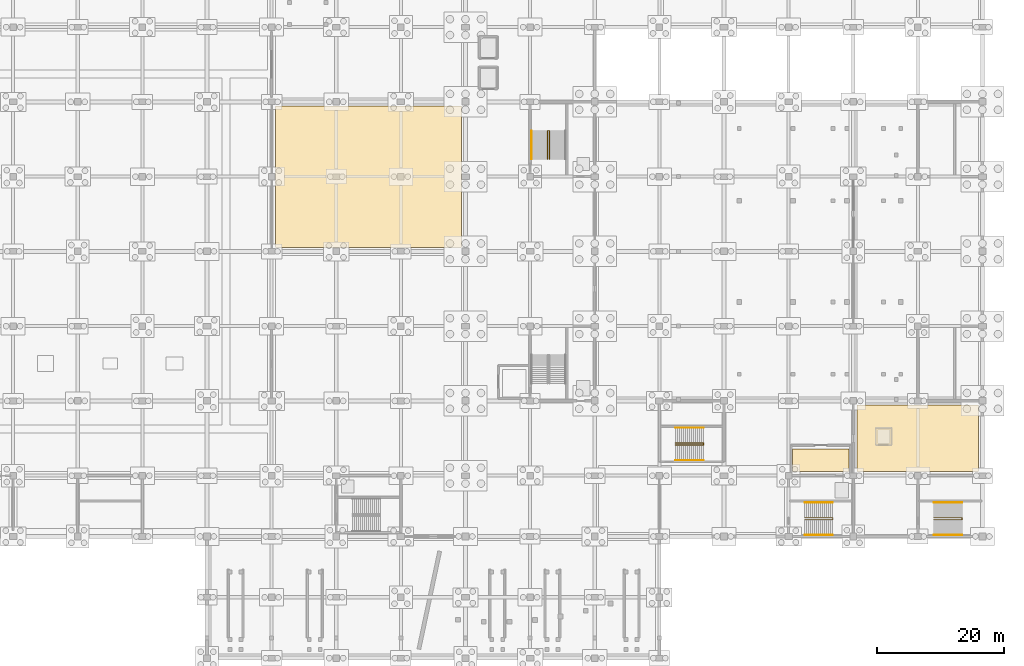
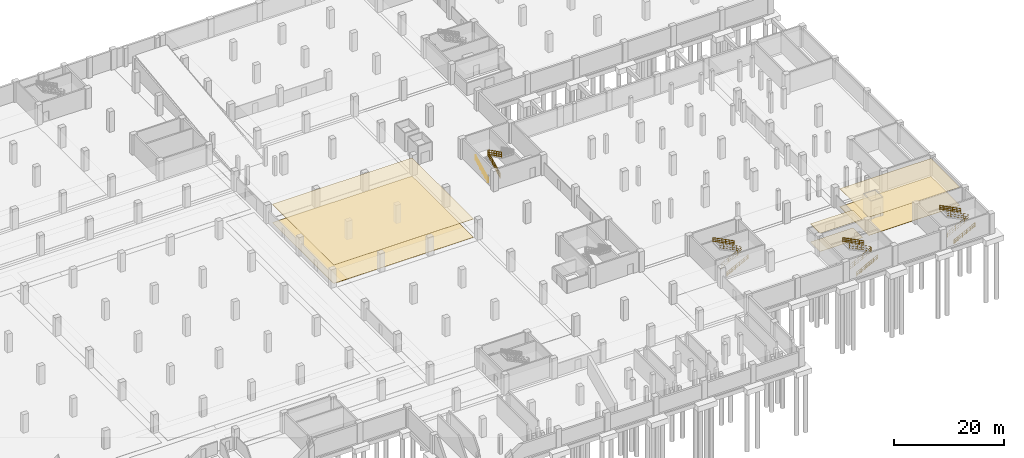
# One storey, part 49 of 52: 11 railings, 6 coverings.
"""IFC4 building model written with IfcOpenShell, lengths in metres."""

from ifc_helpers import new_model, si_unit, direction, frame, origin, origin_2d, place, context, subcontext, project, spatial, polyline, circle, outline, extrude, material, layer, layer_set, type_object, element, save


model = new_model("IFC4")

# Units and contexts
model_context = context("Model", 3, precision=1e-05, world=origin(), true_north=direction((0.0, 1.0)))
body_context = subcontext(model_context, "Body", "Model", "MODEL_VIEW")
ifc_project = project(units=[si_unit("LENGTHUNIT", "METRE"), si_unit("AREAUNIT", "SQUARE_METRE"), si_unit("VOLUMEUNIT", "CUBIC_METRE"), si_unit("PLANEANGLEUNIT", "RADIAN"), si_unit("MASSUNIT", "GRAM", prefix="KILO")], contexts=[model_context])

# Site, building, storey
site_placement = place(None, origin())
site = spatial("IfcSite", under=ifc_project, at=site_placement, CompositionType="ELEMENT")
building_placement = place(site_placement, origin())
building = spatial("IfcBuilding", under=site, at=building_placement, Name="Brelvane Convention Centre", CompositionType="ELEMENT")
storey_placement = place(building_placement, frame((0.0, 0.0, -4.5)))
storey = spatial("IfcBuildingStorey", under=building, at=storey_placement, Name="B1", CompositionType="ELEMENT", Elevation=-4.5)

# Coverings
ifc_material_1 = material(Name="Perforated Anodised Aluminium Alloy 6063 Acoustic Baffle", Category="aluminium")
ifc_layer_1 = layer(ifc_material_1, 0.074951171875)
ifc_layer_set_1 = layer_set([ifc_layer_1], Name="Perforated Anodised Aluminium Alloy 6063 Acoustic Baffle")
covering_type_1 = type_object("IfcCoveringType", Name="Interior Finish CL-BAF-75", PredefinedType="CEILING", material=ifc_layer_set_1)
covering_1_placement = place(storey_placement, frame((0.0, 0.0, 4.044921875)))
element("IfcCovering", 1, at=covering_1_placement, inside=storey, type_object=covering_type_1, Name="Exhibition Crate Store 2 Acoustic Ceiling (CL-BAF-75)", PredefinedType="CEILING", context=body_context, shape_type="SweptSolid", body=[
    extrude(outline(polyline([(112.830078125, 64.830078125), (142.169921875, 64.830078125), (142.169921875, 87.169921875), (112.830078125, 87.169921875), (112.830078125, 64.830078125)])), origin(), (0.0, 0.0, 1.0), 0.0751953125),
])
ifc_material_2 = material(Name="Moisture-Resistant Acoustic Gypsum Ceiling Tile Grade A")
ifc_layer_2 = layer(ifc_material_2, 0.01806640625)
ifc_layer_set_2 = layer_set([ifc_layer_2], Name="Moisture-Resistant Acoustic Gypsum Ceiling Tile Grade A")
covering_type_2 = type_object("IfcCoveringType", Name="Interior Finish CL-GYP-18", PredefinedType="CEILING", material=ifc_layer_set_2)
covering_2_placement = place(storey_placement, frame((0.0, 0.0, 4.02197265625)))
element("IfcCovering", 2, at=covering_2_placement, inside=storey, type_object=covering_type_2, Name="Firefighting Lift Lobby C8 Acoustic Ceiling (CL-GYP-18)", PredefinedType="CEILING", context=body_context, shape_type="SweptSolid", body=[
    extrude(outline(polyline([(194.429931640625, 29.429931640625), (203.3701171875, 29.429931640625), (203.3701171875, 32.969970703125), (194.429931640625, 32.969970703125), (194.429931640625, 29.429931640625)])), origin(), (0.0, 0.0, 1.0), 0.01806640625),
])
ifc_material_3 = material(Name="Moisture-Resistant Acoustic Gypsum Ceiling Tile Grade A")
ifc_layer_3 = layer(ifc_material_3, 0.033935546875)
ifc_layer_set_3 = layer_set([ifc_layer_3], Name="Moisture-Resistant Acoustic Gypsum Ceiling Tile Grade A")
covering_type_3 = type_object("IfcCoveringType", Name="Interior Finish CL-GYP-34", PredefinedType="CEILING", material=ifc_layer_set_3)
covering_3_placement = place(storey_placement, frame((0.0, 0.0, 4.006103515625)))
element("IfcCovering", 3, at=covering_3_placement, inside=storey, type_object=covering_type_3, Name="South Wing AHU and Domestic Water Plant Acoustic Ceiling (CL-GYP-34)", PredefinedType="CEILING", context=body_context, shape_type="SweptSolid", body=[
    extrude(outline(polyline([(204.6298828125, 29.429931640625), (223.77001953125, 29.429931640625), (223.77001953125, 39.969970703125), (204.6298828125, 39.969970703125), (204.6298828125, 29.429931640625)])), origin(), (0.0, 0.0, 1.0), 0.033935546875),
])
ifc_material_4 = material(Name="Solution-Dyed Heavy Contract Wool Carpet Class 1")
ifc_layer_4 = layer(ifc_material_4, 0.02197265625)
ifc_layer_set_4 = layer_set([ifc_layer_4], Name="Solution-Dyed Heavy Contract Wool Carpet Class 1")
covering_type_4 = type_object("IfcCoveringType", Name="Interior Finish FL-CPT-22", PredefinedType="FLOORING", material=ifc_layer_set_4)
covering_4_placement = place(storey_placement, origin())
element("IfcCovering", 4, at=covering_4_placement, inside=storey, type_object=covering_type_4, Name="Firefighting Lift Lobby C8 Floor Finish (FL-CPT-22)", PredefinedType="FLOORING", context=body_context, shape_type="SweptSolid", body=[
    extrude(outline(polyline([(194.429931640625, 29.429931640625), (203.3701171875, 29.429931640625), (203.3701171875, 32.969970703125), (194.429931640625, 32.969970703125), (194.429931640625, 29.429931640625)])), origin(), (0.0, 0.0, 1.0), 0.02197265625),
])
ifc_material_5 = material(Name="Polished Basalt-Aggregate Terrazzo Screed Concrete M30", Category="masonry")
ifc_layer_5 = layer(ifc_material_5, 0.031982421875)
ifc_layer_set_5 = layer_set([ifc_layer_5], Name="Polished Basalt-Aggregate Terrazzo Screed Concrete M30")
covering_type_5 = type_object("IfcCoveringType", Name="Interior Finish FL-STN-32", PredefinedType="FLOORING", material=ifc_layer_set_5)
covering_5_placement = place(storey_placement, origin())
element("IfcCovering", 5, at=covering_5_placement, inside=storey, type_object=covering_type_5, Name="South Wing AHU and Domestic Water Plant Floor Finish (FL-STN-32)", PredefinedType="FLOORING", context=body_context, shape_type="SweptSolid", body=[
    extrude(outline(polyline([(204.6298828125, 29.429931640625), (223.77001953125, 29.429931640625), (223.77001953125, 39.969970703125), (204.6298828125, 39.969970703125), (204.6298828125, 29.429931640625)])), origin(), (0.0, 0.0, 1.0), 0.031982421875),
])
ifc_material_6 = material(Name="Polished Basalt-Aggregate Terrazzo Screed Concrete M30", Category="masonry")
ifc_layer_6 = layer(ifc_material_6, 0.050048828125)
ifc_layer_set_6 = layer_set([ifc_layer_6], Name="Polished Basalt-Aggregate Terrazzo Screed Concrete M30")
covering_type_6 = type_object("IfcCoveringType", Name="Interior Finish FL-TER-50", PredefinedType="FLOORING", material=ifc_layer_set_6)
covering_6_placement = place(storey_placement, origin())
element("IfcCovering", 6, at=covering_6_placement, inside=storey, type_object=covering_type_6, Name="Exhibition Crate Store 2 Floor Finish (FL-TER-50)", PredefinedType="FLOORING", context=body_context, shape_type="SweptSolid", body=[
    extrude(outline(polyline([(112.830078125, 64.830078125), (142.169921875, 64.830078125), (142.169921875, 87.169921875), (112.830078125, 87.169921875), (112.830078125, 64.830078125)])), origin(), (0.0, 0.0, 1.0), 0.050048828125),
])

# Railings
ifc_material_7 = material(Name="Steel E350 (350 MPa)", Category="steel")
railing_type_1 = type_object("IfcRailingType", Name="Stair Railing GR-ST-1", PredefinedType="GUARDRAIL", material=ifc_material_7)
railing_1_placement = place(storey_placement, frame((155.739990234375, 78.75, -0.02001953125)))
element("IfcRailing", 7, at=railing_1_placement, inside=storey, type_object=railing_type_1, Name="Stair ST-04 B1 Inner Well Guard", PredefinedType="GUARDRAIL", context=body_context, shape_type="SweptSolid", body=[
    extrude(circle(Radius=0.02392578125, at=origin_2d()), frame((0.0, 0.0, 1.1259765625), z_axis=(0.0, 0.892022709874, 0.451990580731), x_axis=(-1.0, 0.0, 0.0)), (0.0, 0.0, 1.0), 5.022216796875),
    extrude(circle(Radius=0.02392578125, at=origin_2d()), frame((0.0, 0.0, 0.597900390625), z_axis=(0.0, 0.892022709874, 0.451990580731), x_axis=(-1.0, 0.0, 0.0)), (0.0, 0.0, 1.0), 5.022216796875),
    extrude(circle(Radius=0.02392578125, at=origin_2d()), frame((0.0, 0.0, 0.139892578125), z_axis=(0.0, 0.892022709874, 0.451990580731), x_axis=(-1.0, 0.0, 0.0)), (0.0, 0.0, 1.0), 5.022216796875),
    extrude(circle(Radius=0.02392578125, at=origin_2d()), frame((0.0, 4.47998046875, 3.39599609375), z_axis=(1.0, 0.0, 0.0), x_axis=(0.0, 1.0, 0.0)), (0.0, 0.0, 1.0), 0.320068359375),
    extrude(circle(Radius=0.02392578125, at=origin_2d()), frame((0.0, 4.47998046875, 2.867919921875), z_axis=(1.0, 0.0, 0.0), x_axis=(0.0, 1.0, 0.0)), (0.0, 0.0, 1.0), 0.320068359375),
    extrude(circle(Radius=0.02392578125, at=origin_2d()), frame((0.0, 4.47998046875, 2.409912109375), z_axis=(1.0, 0.0, 0.0), x_axis=(0.0, 1.0, 0.0)), (0.0, 0.0, 1.0), 0.320068359375),
    extrude(circle(Radius=0.02392578125, at=origin_2d()), frame((0.320068359375, 4.47998046875, 3.39599609375), z_axis=(0.0, -0.895225852443, 0.445612694072), x_axis=(1.0, 0.0, 0.0)), (0.0, 0.0, 1.0), 5.00439453125),
    extrude(circle(Radius=0.02392578125, at=origin_2d()), frame((0.320068359375, 4.47998046875, 2.867919921875), z_axis=(0.0, -0.895225852443, 0.445612694072), x_axis=(1.0, 0.0, 0.0)), (0.0, 0.0, 1.0), 5.00439453125),
    extrude(circle(Radius=0.02392578125, at=origin_2d()), frame((0.320068359375, 4.47998046875, 2.409912109375), z_axis=(0.0, -0.895225852443, 0.445612694072), x_axis=(1.0, 0.0, 0.0)), (0.0, 0.0, 1.0), 5.00439453125),
    extrude(circle(Radius=0.02099609375, at=origin_2d()), origin(), (0.0, 0.0, 1.0), 1.101806640625),
    extrude(circle(Radius=0.02099609375, at=origin_2d()), frame((0.0, 0.89599609375, 0.4541015625)), (0.0, 0.0, 1.0), 1.101806640625),
    extrude(circle(Radius=0.02099609375, at=origin_2d()), frame((0.0, 1.7919921875, 0.907958984375)), (0.0, 0.0, 1.0), 1.101806640625),
    extrude(circle(Radius=0.02099609375, at=origin_2d()), frame((0.0, 2.68798828125, 1.362060546875)), (0.0, 0.0, 1.0), 1.101806640625),
    extrude(circle(Radius=0.02099609375, at=origin_2d()), frame((0.0, 3.583984375, 1.81591796875)), (0.0, 0.0, 1.0), 1.101806640625),
    extrude(circle(Radius=0.02099609375, at=origin_2d()), frame((0.0, 4.47998046875, 2.27001953125)), (0.0, 0.0, 1.0), 1.101806640625),
    extrude(circle(Radius=0.02099609375, at=origin_2d()), frame((0.320068359375, 4.47998046875, 2.27001953125)), (0.0, 0.0, 1.0), 1.101806640625),
    extrude(circle(Radius=0.02099609375, at=origin_2d()), frame((0.320068359375, 3.583984375, 2.716064453125)), (0.0, 0.0, 1.0), 1.101806640625),
    extrude(circle(Radius=0.02099609375, at=origin_2d()), frame((0.320068359375, 2.68798828125, 3.162109375)), (0.0, 0.0, 1.0), 1.101806640625),
    extrude(circle(Radius=0.02099609375, at=origin_2d()), frame((0.320068359375, 1.7919921875, 3.60791015625)), (0.0, 0.0, 1.0), 1.101806640625),
    extrude(circle(Radius=0.02099609375, at=origin_2d()), frame((0.320068359375, 0.89599609375, 4.053955078125)), (0.0, 0.0, 1.0), 1.101806640625),
    extrude(circle(Radius=0.02099609375, at=origin_2d()), frame((0.320068359375, 0.0, 4.5)), (0.0, 0.0, 1.0), 1.101806640625),
])
railing_2_placement = place(storey_placement, frame((196.35009765625, 21.840087890625, -0.02001953125)))
element("IfcRailing", 8, at=railing_2_placement, inside=storey, type_object=railing_type_1, Name="Stair ST-08 B1 Inner Well Guard", PredefinedType="GUARDRAIL", context=body_context, shape_type="SweptSolid", body=[
    extrude(circle(Radius=0.02392578125, at=origin_2d()), frame((0.0, 0.0, 1.1259765625), z_axis=(0.889118431412, 0.0, 0.45767719511), x_axis=(0.0, 1.0, 0.0)), (0.0, 0.0, 1.0), 4.9599609375),
    extrude(circle(Radius=0.02392578125, at=origin_2d()), frame((0.0, 0.0, 0.597900390625), z_axis=(0.889118431412, 0.0, 0.45767719511), x_axis=(0.0, 1.0, 0.0)), (0.0, 0.0, 1.0), 4.9599609375),
    extrude(circle(Radius=0.02392578125, at=origin_2d()), frame((0.0, 0.0, 0.139892578125), z_axis=(0.889118431412, 0.0, 0.45767719511), x_axis=(0.0, 1.0, 0.0)), (0.0, 0.0, 1.0), 4.9599609375),
    extrude(circle(Radius=0.02392578125, at=origin_2d()), frame((4.409912109375, 0.0, 3.39599609375), z_axis=(0.0, 1.0, 0.0), x_axis=(-1.0, 0.0, 0.0)), (0.0, 0.0, 1.0), 0.31982421875),
    extrude(circle(Radius=0.02392578125, at=origin_2d()), frame((4.409912109375, 0.0, 2.867919921875), z_axis=(0.0, 1.0, 0.0), x_axis=(-1.0, 0.0, 0.0)), (0.0, 0.0, 1.0), 0.31982421875),
    extrude(circle(Radius=0.02392578125, at=origin_2d()), frame((4.409912109375, 0.0, 2.409912109375), z_axis=(0.0, 1.0, 0.0), x_axis=(-1.0, 0.0, 0.0)), (0.0, 0.0, 1.0), 0.31982421875),
    extrude(circle(Radius=0.02392578125, at=origin_2d()), frame((4.409912109375, 0.31982421875, 3.39599609375), z_axis=(-0.892392434286, 0.0, 0.451260172439), x_axis=(0.0, -1.0, 0.0)), (0.0, 0.0, 1.0), 4.941650390625),
    extrude(circle(Radius=0.02392578125, at=origin_2d()), frame((4.409912109375, 0.31982421875, 2.867919921875), z_axis=(-0.892392434286, 0.0, 0.451260172439), x_axis=(0.0, -1.0, 0.0)), (0.0, 0.0, 1.0), 4.941650390625),
    extrude(circle(Radius=0.02392578125, at=origin_2d()), frame((4.409912109375, 0.31982421875, 2.409912109375), z_axis=(-0.892392434286, 0.0, 0.451260172439), x_axis=(0.0, -1.0, 0.0)), (0.0, 0.0, 1.0), 4.941650390625),
    extrude(circle(Radius=0.02099609375, at=origin_2d()), origin(), (0.0, 0.0, 1.0), 1.101806640625),
    extrude(circle(Radius=0.02099609375, at=origin_2d()), frame((0.882080078125, 0.0, 0.4541015625)), (0.0, 0.0, 1.0), 1.101806640625),
    extrude(circle(Radius=0.02099609375, at=origin_2d()), frame((1.763916015625, 0.0, 0.907958984375)), (0.0, 0.0, 1.0), 1.101806640625),
    extrude(circle(Radius=0.02099609375, at=origin_2d()), frame((2.64599609375, 0.0, 1.362060546875)), (0.0, 0.0, 1.0), 1.101806640625),
    extrude(circle(Radius=0.02099609375, at=origin_2d()), frame((3.52783203125, 0.0, 1.81591796875)), (0.0, 0.0, 1.0), 1.101806640625),
    extrude(circle(Radius=0.02099609375, at=origin_2d()), frame((4.409912109375, 0.0, 2.27001953125)), (0.0, 0.0, 1.0), 1.101806640625),
    extrude(circle(Radius=0.02099609375, at=origin_2d()), frame((4.409912109375, 0.31982421875, 2.27001953125)), (0.0, 0.0, 1.0), 1.101806640625),
    extrude(circle(Radius=0.02099609375, at=origin_2d()), frame((3.52783203125, 0.31982421875, 2.716064453125)), (0.0, 0.0, 1.0), 1.101806640625),
    extrude(circle(Radius=0.02099609375, at=origin_2d()), frame((2.64599609375, 0.31982421875, 3.162109375)), (0.0, 0.0, 1.0), 1.101806640625),
    extrude(circle(Radius=0.02099609375, at=origin_2d()), frame((1.763916015625, 0.31982421875, 3.60791015625)), (0.0, 0.0, 1.0), 1.101806640625),
    extrude(circle(Radius=0.02099609375, at=origin_2d()), frame((0.882080078125, 0.31982421875, 4.053955078125)), (0.0, 0.0, 1.0), 1.101806640625),
    extrude(circle(Radius=0.02099609375, at=origin_2d()), frame((0.0, 0.31982421875, 4.5)), (0.0, 0.0, 1.0), 1.101806640625),
])
railing_3_placement = place(storey_placement, frame((216.75, 21.840087890625, -0.02001953125)))
element("IfcRailing", 9, at=railing_3_placement, inside=storey, type_object=railing_type_1, Name="Stair ST-14 B1 Inner Well Guard", PredefinedType="GUARDRAIL", context=body_context, shape_type="SweptSolid", body=[
    extrude(circle(Radius=0.02392578125, at=origin_2d()), frame((0.0, 0.0, 1.1259765625), z_axis=(0.889118431412, 0.0, 0.45767719511), x_axis=(0.0, 1.0, 0.0)), (0.0, 0.0, 1.0), 4.9599609375),
    extrude(circle(Radius=0.02392578125, at=origin_2d()), frame((0.0, 0.0, 0.597900390625), z_axis=(0.889118431412, 0.0, 0.45767719511), x_axis=(0.0, 1.0, 0.0)), (0.0, 0.0, 1.0), 4.9599609375),
    extrude(circle(Radius=0.02392578125, at=origin_2d()), frame((0.0, 0.0, 0.139892578125), z_axis=(0.889118431412, 0.0, 0.45767719511), x_axis=(0.0, 1.0, 0.0)), (0.0, 0.0, 1.0), 4.9599609375),
    extrude(circle(Radius=0.02392578125, at=origin_2d()), frame((4.409912109375, 0.0, 3.39599609375), z_axis=(0.0, 1.0, 0.0), x_axis=(-1.0, 0.0, 0.0)), (0.0, 0.0, 1.0), 0.31982421875),
    extrude(circle(Radius=0.02392578125, at=origin_2d()), frame((4.409912109375, 0.0, 2.867919921875), z_axis=(0.0, 1.0, 0.0), x_axis=(-1.0, 0.0, 0.0)), (0.0, 0.0, 1.0), 0.31982421875),
    extrude(circle(Radius=0.02392578125, at=origin_2d()), frame((4.409912109375, 0.0, 2.409912109375), z_axis=(0.0, 1.0, 0.0), x_axis=(-1.0, 0.0, 0.0)), (0.0, 0.0, 1.0), 0.31982421875),
    extrude(circle(Radius=0.02392578125, at=origin_2d()), frame((4.409912109375, 0.31982421875, 3.39599609375), z_axis=(-0.892392434286, 0.0, 0.451260172439), x_axis=(0.0, -1.0, 0.0)), (0.0, 0.0, 1.0), 4.941650390625),
    extrude(circle(Radius=0.02392578125, at=origin_2d()), frame((4.409912109375, 0.31982421875, 2.867919921875), z_axis=(-0.892392434286, 0.0, 0.451260172439), x_axis=(0.0, -1.0, 0.0)), (0.0, 0.0, 1.0), 4.941650390625),
    extrude(circle(Radius=0.02392578125, at=origin_2d()), frame((4.409912109375, 0.31982421875, 2.409912109375), z_axis=(-0.892392434286, 0.0, 0.451260172439), x_axis=(0.0, -1.0, 0.0)), (0.0, 0.0, 1.0), 4.941650390625),
    extrude(circle(Radius=0.02099609375, at=origin_2d()), origin(), (0.0, 0.0, 1.0), 1.101806640625),
    extrude(circle(Radius=0.02099609375, at=origin_2d()), frame((0.882080078125, 0.0, 0.4541015625)), (0.0, 0.0, 1.0), 1.101806640625),
    extrude(circle(Radius=0.02099609375, at=origin_2d()), frame((1.763916015625, 0.0, 0.907958984375)), (0.0, 0.0, 1.0), 1.101806640625),
    extrude(circle(Radius=0.02099609375, at=origin_2d()), frame((2.64599609375, 0.0, 1.362060546875)), (0.0, 0.0, 1.0), 1.101806640625),
    extrude(circle(Radius=0.02099609375, at=origin_2d()), frame((3.52783203125, 0.0, 1.81591796875)), (0.0, 0.0, 1.0), 1.101806640625),
    extrude(circle(Radius=0.02099609375, at=origin_2d()), frame((4.409912109375, 0.0, 2.27001953125)), (0.0, 0.0, 1.0), 1.101806640625),
    extrude(circle(Radius=0.02099609375, at=origin_2d()), frame((4.409912109375, 0.31982421875, 2.27001953125)), (0.0, 0.0, 1.0), 1.101806640625),
    extrude(circle(Radius=0.02099609375, at=origin_2d()), frame((3.52783203125, 0.31982421875, 2.716064453125)), (0.0, 0.0, 1.0), 1.101806640625),
    extrude(circle(Radius=0.02099609375, at=origin_2d()), frame((2.64599609375, 0.31982421875, 3.162109375)), (0.0, 0.0, 1.0), 1.101806640625),
    extrude(circle(Radius=0.02099609375, at=origin_2d()), frame((1.763916015625, 0.31982421875, 3.60791015625)), (0.0, 0.0, 1.0), 1.101806640625),
    extrude(circle(Radius=0.02099609375, at=origin_2d()), frame((0.882080078125, 0.31982421875, 4.053955078125)), (0.0, 0.0, 1.0), 1.101806640625),
    extrude(circle(Radius=0.02099609375, at=origin_2d()), frame((0.0, 0.31982421875, 4.5)), (0.0, 0.0, 1.0), 1.101806640625),
])
railing_4_placement = place(storey_placement, frame((175.949951171875, 33.639892578125, -0.02001953125)))
element("IfcRailing", 10, at=railing_4_placement, inside=storey, type_object=railing_type_1, Name="Stair ST-18 B1 Inner Well Guard", PredefinedType="GUARDRAIL", context=body_context, shape_type="SweptSolid", body=[
    extrude(circle(Radius=0.02392578125, at=origin_2d()), frame((0.0, 0.0, 1.1259765625), z_axis=(0.889128741438, 0.0, 0.457657165517), x_axis=(0.0, 1.0, 0.0)), (0.0, 0.0, 1.0), 4.960205078125),
    extrude(circle(Radius=0.02392578125, at=origin_2d()), frame((0.0, 0.0, 0.597900390625), z_axis=(0.889128741438, 0.0, 0.457657165517), x_axis=(0.0, 1.0, 0.0)), (0.0, 0.0, 1.0), 4.960205078125),
    extrude(circle(Radius=0.02392578125, at=origin_2d()), frame((0.0, 0.0, 0.139892578125), z_axis=(0.889128741438, 0.0, 0.457657165517), x_axis=(0.0, 1.0, 0.0)), (0.0, 0.0, 1.0), 4.960205078125),
    extrude(circle(Radius=0.02392578125, at=origin_2d()), frame((4.41015625, 0.0, 3.39599609375), z_axis=(0.0, 1.0, 0.0), x_axis=(-1.0, 0.0, 0.0)), (0.0, 0.0, 1.0), 0.320068359375),
    extrude(circle(Radius=0.02392578125, at=origin_2d()), frame((4.41015625, 0.0, 2.867919921875), z_axis=(0.0, 1.0, 0.0), x_axis=(-1.0, 0.0, 0.0)), (0.0, 0.0, 1.0), 0.320068359375),
    extrude(circle(Radius=0.02392578125, at=origin_2d()), frame((4.41015625, 0.0, 2.409912109375), z_axis=(0.0, 1.0, 0.0), x_axis=(-1.0, 0.0, 0.0)), (0.0, 0.0, 1.0), 0.320068359375),
    extrude(circle(Radius=0.02392578125, at=origin_2d()), frame((4.41015625, 0.320068359375, 3.39599609375), z_axis=(-0.892402494131, 0.0, 0.451240277978), x_axis=(0.0, -1.0, 0.0)), (0.0, 0.0, 1.0), 4.94189453125),
    extrude(circle(Radius=0.02392578125, at=origin_2d()), frame((4.41015625, 0.320068359375, 2.867919921875), z_axis=(-0.892402494131, 0.0, 0.451240277978), x_axis=(0.0, -1.0, 0.0)), (0.0, 0.0, 1.0), 4.94189453125),
    extrude(circle(Radius=0.02392578125, at=origin_2d()), frame((4.41015625, 0.320068359375, 2.409912109375), z_axis=(-0.892402494131, 0.0, 0.451240277978), x_axis=(0.0, -1.0, 0.0)), (0.0, 0.0, 1.0), 4.94189453125),
    extrude(circle(Radius=0.02099609375, at=origin_2d()), origin(), (0.0, 0.0, 1.0), 1.101806640625),
    extrude(circle(Radius=0.02099609375, at=origin_2d()), frame((0.882080078125, 0.0, 0.4541015625)), (0.0, 0.0, 1.0), 1.101806640625),
    extrude(circle(Radius=0.02099609375, at=origin_2d()), frame((1.76416015625, 0.0, 0.907958984375)), (0.0, 0.0, 1.0), 1.101806640625),
    extrude(circle(Radius=0.02099609375, at=origin_2d()), frame((2.64599609375, 0.0, 1.362060546875)), (0.0, 0.0, 1.0), 1.101806640625),
    extrude(circle(Radius=0.02099609375, at=origin_2d()), frame((3.528076171875, 0.0, 1.81591796875)), (0.0, 0.0, 1.0), 1.101806640625),
    extrude(circle(Radius=0.02099609375, at=origin_2d()), frame((4.41015625, 0.0, 2.27001953125)), (0.0, 0.0, 1.0), 1.101806640625),
    extrude(circle(Radius=0.02099609375, at=origin_2d()), frame((4.41015625, 0.320068359375, 2.27001953125)), (0.0, 0.0, 1.0), 1.101806640625),
    extrude(circle(Radius=0.02099609375, at=origin_2d()), frame((3.528076171875, 0.320068359375, 2.716064453125)), (0.0, 0.0, 1.0), 1.101806640625),
    extrude(circle(Radius=0.02099609375, at=origin_2d()), frame((2.64599609375, 0.320068359375, 3.162109375)), (0.0, 0.0, 1.0), 1.101806640625),
    extrude(circle(Radius=0.02099609375, at=origin_2d()), frame((1.76416015625, 0.320068359375, 3.60791015625)), (0.0, 0.0, 1.0), 1.101806640625),
    extrude(circle(Radius=0.02099609375, at=origin_2d()), frame((0.882080078125, 0.320068359375, 4.053955078125)), (0.0, 0.0, 1.0), 1.101806640625),
    extrude(circle(Radius=0.02099609375, at=origin_2d()), frame((0.0, 0.320068359375, 4.5)), (0.0, 0.0, 1.0), 1.101806640625),
])
ifc_material_8 = material(Name="Steel E350 (350 MPa)", Category="steel")
railing_type_2 = type_object("IfcRailingType", Name="Stair Railing HR-ST-1", PredefinedType="HANDRAIL", material=ifc_material_8)
railing_5_placement = place(storey_placement, frame((153.22998046875, 78.75, -0.02001953125)))
element("IfcRailing", 11, at=railing_5_placement, inside=storey, type_object=railing_type_2, Name="Stair ST-04 B1 Outer Handrail F1", PredefinedType="HANDRAIL", context=body_context, shape_type="SweptSolid", body=[
    extrude(circle(Radius=0.02392578125, at=origin_2d()), frame((0.0, 0.0, 0.89599609375), z_axis=(0.0, 0.892022709874, 0.451990580731), x_axis=(-1.0, 0.0, 0.0)), (0.0, 0.0, 1.0), 5.022216796875),
    extrude(circle(Radius=0.02392578125, at=origin_2d()), frame((0.0, 0.0, 0.478271484375), z_axis=(0.0, 0.892022709874, 0.451990580731), x_axis=(-1.0, 0.0, 0.0)), (0.0, 0.0, 1.0), 5.022216796875),
    extrude(circle(Radius=0.02392578125, at=origin_2d()), frame((0.0, 0.0, 0.139892578125), z_axis=(0.0, 0.892022709874, 0.451990580731), x_axis=(-1.0, 0.0, 0.0)), (0.0, 0.0, 1.0), 5.022216796875),
    extrude(circle(Radius=0.02099609375, at=origin_2d()), origin(), (0.0, 0.0, 1.0), 0.871826171875),
    extrude(circle(Radius=0.02099609375, at=origin_2d()), frame((0.0, 0.89599609375, 0.4541015625)), (0.0, 0.0, 1.0), 0.871826171875),
    extrude(circle(Radius=0.02099609375, at=origin_2d()), frame((0.0, 1.7919921875, 0.907958984375)), (0.0, 0.0, 1.0), 0.871826171875),
    extrude(circle(Radius=0.02099609375, at=origin_2d()), frame((0.0, 2.68798828125, 1.362060546875)), (0.0, 0.0, 1.0), 0.871826171875),
    extrude(circle(Radius=0.02099609375, at=origin_2d()), frame((0.0, 3.583984375, 1.81591796875)), (0.0, 0.0, 1.0), 0.871826171875),
    extrude(circle(Radius=0.02099609375, at=origin_2d()), frame((0.0, 4.47998046875, 2.27001953125)), (0.0, 0.0, 1.0), 0.871826171875),
])
railing_6_placement = place(storey_placement, frame((196.35009765625, 19.429931640625, -0.02001953125)))
element("IfcRailing", 12, at=railing_6_placement, inside=storey, type_object=railing_type_2, Name="Stair ST-08 B1 Outer Handrail F1", PredefinedType="HANDRAIL", context=body_context, shape_type="SweptSolid", body=[
    extrude(circle(Radius=0.02392578125, at=origin_2d()), frame((0.0, 0.0, 0.89599609375), z_axis=(0.889118431412, 0.0, 0.45767719511), x_axis=(0.0, 1.0, 0.0)), (0.0, 0.0, 1.0), 4.9599609375),
    extrude(circle(Radius=0.02392578125, at=origin_2d()), frame((0.0, 0.0, 0.478271484375), z_axis=(0.889118431412, 0.0, 0.45767719511), x_axis=(0.0, 1.0, 0.0)), (0.0, 0.0, 1.0), 4.9599609375),
    extrude(circle(Radius=0.02392578125, at=origin_2d()), frame((0.0, 0.0, 0.139892578125), z_axis=(0.889118431412, 0.0, 0.45767719511), x_axis=(0.0, 1.0, 0.0)), (0.0, 0.0, 1.0), 4.9599609375),
    extrude(circle(Radius=0.02099609375, at=origin_2d()), origin(), (0.0, 0.0, 1.0), 0.871826171875),
    extrude(circle(Radius=0.02099609375, at=origin_2d()), frame((0.882080078125, 0.0, 0.4541015625)), (0.0, 0.0, 1.0), 0.871826171875),
    extrude(circle(Radius=0.02099609375, at=origin_2d()), frame((1.763916015625, 0.0, 0.907958984375)), (0.0, 0.0, 1.0), 0.871826171875),
    extrude(circle(Radius=0.02099609375, at=origin_2d()), frame((2.64599609375, 0.0, 1.362060546875)), (0.0, 0.0, 1.0), 0.871826171875),
    extrude(circle(Radius=0.02099609375, at=origin_2d()), frame((3.52783203125, 0.0, 1.81591796875)), (0.0, 0.0, 1.0), 0.871826171875),
    extrude(circle(Radius=0.02099609375, at=origin_2d()), frame((4.409912109375, 0.0, 2.27001953125)), (0.0, 0.0, 1.0), 0.871826171875),
])
railing_7_placement = place(storey_placement, frame((200.760009765625, 24.570068359375, 2.25)))
element("IfcRailing", 13, at=railing_7_placement, inside=storey, type_object=railing_type_2, Name="Stair ST-08 B1 Outer Handrail F2", PredefinedType="HANDRAIL", context=body_context, shape_type="SweptSolid", body=[
    extrude(circle(Radius=0.02392578125, at=origin_2d()), frame((0.0, 0.0, 0.89599609375), z_axis=(-0.892392434286, 0.0, 0.451260172439), x_axis=(0.0, -1.0, 0.0)), (0.0, 0.0, 1.0), 4.941650390625),
    extrude(circle(Radius=0.02392578125, at=origin_2d()), frame((0.0, 0.0, 0.478271484375), z_axis=(-0.892392434286, 0.0, 0.451260172439), x_axis=(0.0, -1.0, 0.0)), (0.0, 0.0, 1.0), 4.941650390625),
    extrude(circle(Radius=0.02392578125, at=origin_2d()), frame((0.0, 0.0, 0.139892578125), z_axis=(-0.892392434286, 0.0, 0.451260172439), x_axis=(0.0, -1.0, 0.0)), (0.0, 0.0, 1.0), 4.941650390625),
    extrude(circle(Radius=0.02099609375, at=origin_2d()), origin(), (0.0, 0.0, 1.0), 0.871826171875),
    extrude(circle(Radius=0.02099609375, at=origin_2d()), frame((-0.882080078125, 0.0, 0.446044921875)), (0.0, 0.0, 1.0), 0.871826171875),
    extrude(circle(Radius=0.02099609375, at=origin_2d()), frame((-1.763916015625, 0.0, 0.89208984375)), (0.0, 0.0, 1.0), 0.871826171875),
    extrude(circle(Radius=0.02099609375, at=origin_2d()), frame((-2.64599609375, 0.0, 1.337890625)), (0.0, 0.0, 1.0), 0.871826171875),
    extrude(circle(Radius=0.02099609375, at=origin_2d()), frame((-3.52783203125, 0.0, 1.783935546875)), (0.0, 0.0, 1.0), 0.871826171875),
    extrude(circle(Radius=0.02099609375, at=origin_2d()), frame((-4.409912109375, 0.0, 2.22998046875)), (0.0, 0.0, 1.0), 0.871826171875),
])
railing_8_placement = place(storey_placement, frame((216.75, 19.429931640625, -0.02001953125)))
element("IfcRailing", 14, at=railing_8_placement, inside=storey, type_object=railing_type_2, Name="Stair ST-14 B1 Outer Handrail F1", PredefinedType="HANDRAIL", context=body_context, shape_type="SweptSolid", body=[
    extrude(circle(Radius=0.02392578125, at=origin_2d()), frame((0.0, 0.0, 0.89599609375), z_axis=(0.889118431412, 0.0, 0.45767719511), x_axis=(0.0, 1.0, 0.0)), (0.0, 0.0, 1.0), 4.9599609375),
    extrude(circle(Radius=0.02392578125, at=origin_2d()), frame((0.0, 0.0, 0.478271484375), z_axis=(0.889118431412, 0.0, 0.45767719511), x_axis=(0.0, 1.0, 0.0)), (0.0, 0.0, 1.0), 4.9599609375),
    extrude(circle(Radius=0.02392578125, at=origin_2d()), frame((0.0, 0.0, 0.139892578125), z_axis=(0.889118431412, 0.0, 0.45767719511), x_axis=(0.0, 1.0, 0.0)), (0.0, 0.0, 1.0), 4.9599609375),
    extrude(circle(Radius=0.02099609375, at=origin_2d()), origin(), (0.0, 0.0, 1.0), 0.871826171875),
    extrude(circle(Radius=0.02099609375, at=origin_2d()), frame((0.882080078125, 0.0, 0.4541015625)), (0.0, 0.0, 1.0), 0.871826171875),
    extrude(circle(Radius=0.02099609375, at=origin_2d()), frame((1.763916015625, 0.0, 0.907958984375)), (0.0, 0.0, 1.0), 0.871826171875),
    extrude(circle(Radius=0.02099609375, at=origin_2d()), frame((2.64599609375, 0.0, 1.362060546875)), (0.0, 0.0, 1.0), 0.871826171875),
    extrude(circle(Radius=0.02099609375, at=origin_2d()), frame((3.52783203125, 0.0, 1.81591796875)), (0.0, 0.0, 1.0), 0.871826171875),
    extrude(circle(Radius=0.02099609375, at=origin_2d()), frame((4.409912109375, 0.0, 2.27001953125)), (0.0, 0.0, 1.0), 0.871826171875),
])
railing_9_placement = place(storey_placement, frame((221.159912109375, 24.570068359375, 2.25)))
element("IfcRailing", 15, at=railing_9_placement, inside=storey, type_object=railing_type_2, Name="Stair ST-14 B1 Outer Handrail F2", PredefinedType="HANDRAIL", context=body_context, shape_type="SweptSolid", body=[
    extrude(circle(Radius=0.02392578125, at=origin_2d()), frame((0.0, 0.0, 0.89599609375), z_axis=(-0.892392434286, 0.0, 0.451260172439), x_axis=(0.0, -1.0, 0.0)), (0.0, 0.0, 1.0), 4.941650390625),
    extrude(circle(Radius=0.02392578125, at=origin_2d()), frame((0.0, 0.0, 0.478271484375), z_axis=(-0.892392434286, 0.0, 0.451260172439), x_axis=(0.0, -1.0, 0.0)), (0.0, 0.0, 1.0), 4.941650390625),
    extrude(circle(Radius=0.02392578125, at=origin_2d()), frame((0.0, 0.0, 0.139892578125), z_axis=(-0.892392434286, 0.0, 0.451260172439), x_axis=(0.0, -1.0, 0.0)), (0.0, 0.0, 1.0), 4.941650390625),
    extrude(circle(Radius=0.02099609375, at=origin_2d()), origin(), (0.0, 0.0, 1.0), 0.871826171875),
    extrude(circle(Radius=0.02099609375, at=origin_2d()), frame((-0.882080078125, 0.0, 0.446044921875)), (0.0, 0.0, 1.0), 0.871826171875),
    extrude(circle(Radius=0.02099609375, at=origin_2d()), frame((-1.763916015625, 0.0, 0.89208984375)), (0.0, 0.0, 1.0), 0.871826171875),
    extrude(circle(Radius=0.02099609375, at=origin_2d()), frame((-2.64599609375, 0.0, 1.337890625)), (0.0, 0.0, 1.0), 0.871826171875),
    extrude(circle(Radius=0.02099609375, at=origin_2d()), frame((-3.52783203125, 0.0, 1.783935546875)), (0.0, 0.0, 1.0), 0.871826171875),
    extrude(circle(Radius=0.02099609375, at=origin_2d()), frame((-4.409912109375, 0.0, 2.22998046875)), (0.0, 0.0, 1.0), 0.871826171875),
])
railing_10_placement = place(storey_placement, frame((175.949951171875, 31.22998046875, -0.02001953125)))
element("IfcRailing", 16, at=railing_10_placement, inside=storey, type_object=railing_type_2, Name="Stair ST-18 B1 Outer Handrail F1", PredefinedType="HANDRAIL", context=body_context, shape_type="SweptSolid", body=[
    extrude(circle(Radius=0.02392578125, at=origin_2d()), frame((0.0, 0.0, 0.89599609375), z_axis=(0.889128741438, 0.0, 0.457657165517), x_axis=(0.0, 1.0, 0.0)), (0.0, 0.0, 1.0), 4.960205078125),
    extrude(circle(Radius=0.02392578125, at=origin_2d()), frame((0.0, 0.0, 0.478271484375), z_axis=(0.889128741438, 0.0, 0.457657165517), x_axis=(0.0, 1.0, 0.0)), (0.0, 0.0, 1.0), 4.960205078125),
    extrude(circle(Radius=0.02392578125, at=origin_2d()), frame((0.0, 0.0, 0.139892578125), z_axis=(0.889128741438, 0.0, 0.457657165517), x_axis=(0.0, 1.0, 0.0)), (0.0, 0.0, 1.0), 4.960205078125),
    extrude(circle(Radius=0.02099609375, at=origin_2d()), origin(), (0.0, 0.0, 1.0), 0.871826171875),
    extrude(circle(Radius=0.02099609375, at=origin_2d()), frame((0.882080078125, 0.0, 0.4541015625)), (0.0, 0.0, 1.0), 0.871826171875),
    extrude(circle(Radius=0.02099609375, at=origin_2d()), frame((1.76416015625, 0.0, 0.907958984375)), (0.0, 0.0, 1.0), 0.871826171875),
    extrude(circle(Radius=0.02099609375, at=origin_2d()), frame((2.64599609375, 0.0, 1.362060546875)), (0.0, 0.0, 1.0), 0.871826171875),
    extrude(circle(Radius=0.02099609375, at=origin_2d()), frame((3.528076171875, 0.0, 1.81591796875)), (0.0, 0.0, 1.0), 0.871826171875),
    extrude(circle(Radius=0.02099609375, at=origin_2d()), frame((4.41015625, 0.0, 2.27001953125)), (0.0, 0.0, 1.0), 0.871826171875),
])
railing_11_placement = place(storey_placement, frame((180.360107421875, 36.3701171875, 2.25)))
element("IfcRailing", 17, at=railing_11_placement, inside=storey, type_object=railing_type_2, Name="Stair ST-18 B1 Outer Handrail F2", PredefinedType="HANDRAIL", context=body_context, shape_type="SweptSolid", body=[
    extrude(circle(Radius=0.02392578125, at=origin_2d()), frame((0.0, 0.0, 0.89599609375), z_axis=(-0.892402494131, 0.0, 0.451240277978), x_axis=(0.0, -1.0, 0.0)), (0.0, 0.0, 1.0), 4.94189453125),
    extrude(circle(Radius=0.02392578125, at=origin_2d()), frame((0.0, 0.0, 0.478271484375), z_axis=(-0.892402494131, 0.0, 0.451240277978), x_axis=(0.0, -1.0, 0.0)), (0.0, 0.0, 1.0), 4.94189453125),
    extrude(circle(Radius=0.02392578125, at=origin_2d()), frame((0.0, 0.0, 0.139892578125), z_axis=(-0.892402494131, 0.0, 0.451240277978), x_axis=(0.0, -1.0, 0.0)), (0.0, 0.0, 1.0), 4.94189453125),
    extrude(circle(Radius=0.02099609375, at=origin_2d()), origin(), (0.0, 0.0, 1.0), 0.871826171875),
    extrude(circle(Radius=0.02099609375, at=origin_2d()), frame((-0.882080078125, 0.0, 0.446044921875)), (0.0, 0.0, 1.0), 0.871826171875),
    extrude(circle(Radius=0.02099609375, at=origin_2d()), frame((-1.76416015625, 0.0, 0.89208984375)), (0.0, 0.0, 1.0), 0.871826171875),
    extrude(circle(Radius=0.02099609375, at=origin_2d()), frame((-2.64599609375, 0.0, 1.337890625)), (0.0, 0.0, 1.0), 0.871826171875),
    extrude(circle(Radius=0.02099609375, at=origin_2d()), frame((-3.528076171875, 0.0, 1.783935546875)), (0.0, 0.0, 1.0), 0.871826171875),
    extrude(circle(Radius=0.02099609375, at=origin_2d()), frame((-4.41015625, 0.0, 2.22998046875)), (0.0, 0.0, 1.0), 0.871826171875),
])

save(model, "model.ifc")
